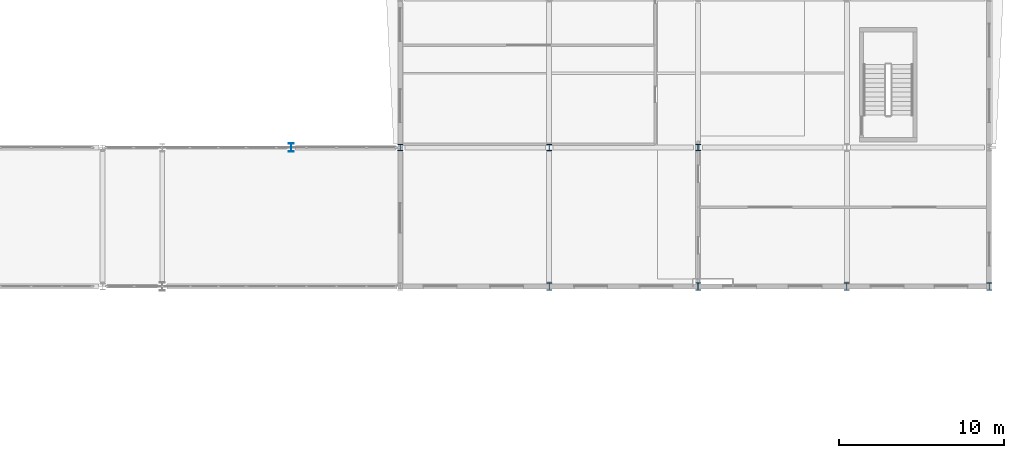
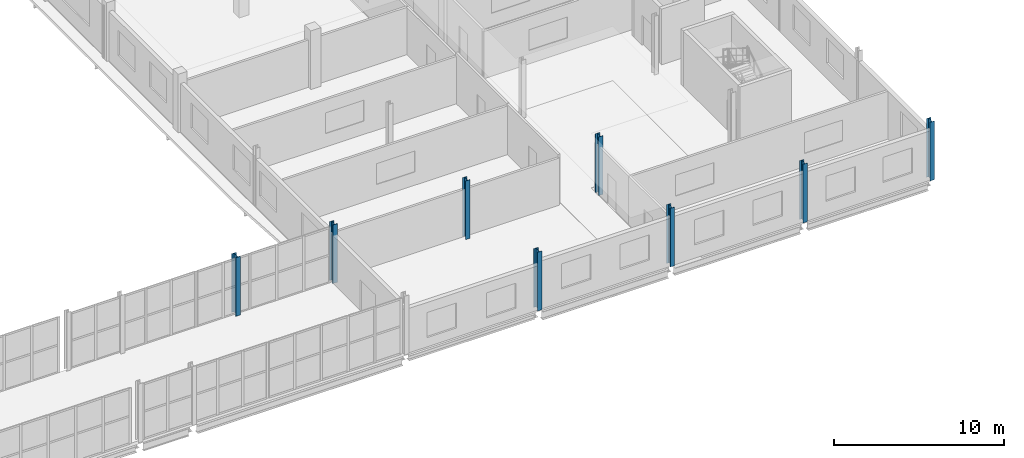
# One storey, part 19 of 121: 8 columns.
"""IFC4 building model written with IfcOpenShell, lengths in metres."""

from ifc_helpers import new_model, si_unit, direction, frame, origin, origin_2d, place, context, subcontext, project, spatial, i_section, extrude, material, material_profile, profile_set, type_object, element, save


model = new_model("IFC4")

# Units and contexts
model_context = context("Model", 3, precision=1e-05, world=origin(), true_north=direction((0.0, 1.0)))
body_context = subcontext(model_context, "Body", "Model", "MODEL_VIEW")
ifc_project = project(units=[si_unit("LENGTHUNIT", "METRE"), si_unit("AREAUNIT", "SQUARE_METRE"), si_unit("VOLUMEUNIT", "CUBIC_METRE"), si_unit("PLANEANGLEUNIT", "RADIAN"), si_unit("MASSUNIT", "GRAM", prefix="KILO")], contexts=[model_context])

# Site, building, storey
site_placement = place(None, origin())
site = spatial("IfcSite", under=ifc_project, at=site_placement, CompositionType="ELEMENT")
building_placement = place(site_placement, origin())
building = spatial("IfcBuilding", under=site, at=building_placement, Name="Vinh Khe Railworks Police Headquarters", CompositionType="ELEMENT")
storey_placement = place(building_placement, frame((0.0, 0.0, 4.800048828125)))
storey = spatial("IfcBuildingStorey", under=building, at=storey_placement, Name="L01", CompositionType="ELEMENT", Elevation=4.800048828125)

# Columns
ifc_material = material(Name="Steel S355JR", Category="steel")
ifc_material_profile_1 = material_profile(ifc_material, i_section(OverallWidth=0.300048828125, OverallDepth=0.389892578125, WebThickness=0.010986328125, FlangeThickness=0.01904296875, FilletRadius=0.027099609375, at=origin_2d()), Name="HEA 400")
ifc_profile_set_1 = profile_set([ifc_material_profile_1], Name="Steel S355JR")
column_type_1 = type_object("IfcColumnType", Name="Steel Column HEA 400", PredefinedType="COLUMN", material=ifc_profile_set_1)
for number, where, z_axis, x_axis, name in (
    (1, (78.0, 104.39990234375, 0.0), (0.0, 0.0, 1.0), (1.0, 0.0, 0.0), "Column COL-L01-SC-15-1157"),
    (2, (87.0, 104.39990234375, 0.0), (0.0, 0.0, 1.0), (1.0, 0.0, 0.0), "Column COL-L01-SC-15-1218"),
    (3, (96.0, 104.39990234375, 0.0), (0.0, 0.0, 1.0), (1.0, 0.0, 0.0), "Column COL-L01-SC-15-1279"),
):
    element("IfcColumn", number, at=place(storey_placement, frame(where, z_axis=z_axis, x_axis=x_axis)), inside=storey, type_object=column_type_1, Name=name, PredefinedType="COLUMN", context=body_context, shape_type="SweptSolid", body=[
        extrude(i_section(OverallWidth=0.300048828125, OverallDepth=0.389892578125, WebThickness=0.010986328125, FlangeThickness=0.01904296875, FilletRadius=0.027099609375, at=origin_2d()), origin(), (0.0, 0.0, 1.0), 4.199951171875),
    ])
ifc_material_profile_2 = material_profile(ifc_material, i_section(OverallWidth=0.300048828125, OverallDepth=0.43994140625, WebThickness=0.011474609375, FlangeThickness=0.02099609375, FilletRadius=0.027099609375, at=origin_2d()), Name="HEA 450")
ifc_profile_set_2 = profile_set([ifc_material_profile_2], Name="Steel S355JR")
column_type_2 = type_object("IfcColumnType", Name="Steel Column HEA 450", PredefinedType="COLUMN", material=ifc_profile_set_2)
for number, where, z_axis, x_axis, name in (
    (4, (87.0, 96.0, 0.0), (0.0, 0.0, 1.0), (1.0, 0.0, 0.0), "Column COL-L01-SC-14-1214"),
    (5, (96.0, 96.0, 0.0), (0.0, 0.0, 1.0), (1.0, 0.0, 0.0), "Column COL-L01-SC-14-1275"),
    (6, (105.0, 96.0, 0.0), (0.0, 0.0, 1.0), (1.0, 0.0, 0.0), "Column COL-L01-SC-14-1336"),
    (7, (113.60009765625, 96.0, 0.0), (0.0, 0.0, 1.0), (1.0, 0.0, 0.0), "Column COL-L01-SC-14-1397"),
):
    element("IfcColumn", number, at=place(storey_placement, frame(where, z_axis=z_axis, x_axis=x_axis)), inside=storey, type_object=column_type_2, Name=name, PredefinedType="COLUMN", context=body_context, shape_type="SweptSolid", body=[
        extrude(i_section(OverallWidth=0.300048828125, OverallDepth=0.43994140625, WebThickness=0.011474609375, FlangeThickness=0.02099609375, FilletRadius=0.027099609375, at=origin_2d()), origin(), (0.0, 0.0, 1.0), 4.199951171875),
    ])
ifc_material_profile_3 = material_profile(ifc_material, i_section(OverallWidth=0.300048828125, OverallDepth=0.489990234375, WebThickness=0.011962890625, FlangeThickness=0.02294921875, FilletRadius=0.027099609375, at=origin_2d()), Name="HEA 500")
ifc_profile_set_3 = profile_set([ifc_material_profile_3], Name="Steel S355JR")
column_type_3 = type_object("IfcColumnType", Name="Steel Column HEA 500", PredefinedType="COLUMN", material=ifc_profile_set_3)
column_placement = place(storey_placement, frame((71.39990234375, 104.39990234375, 0.0), z_axis=(0.0, 0.0, 1.0), x_axis=(1.0, 0.0, 0.0)))
element("IfcColumn", 8, at=column_placement, inside=storey, type_object=column_type_3, Name="Column COL-L01-SC-13-1139", PredefinedType="COLUMN", context=body_context, shape_type="SweptSolid", body=[
    extrude(i_section(OverallWidth=0.300048828125, OverallDepth=0.489990234375, WebThickness=0.011962890625, FlangeThickness=0.02294921875, FilletRadius=0.027099609375, at=origin_2d()), origin(), (0.0, 0.0, 1.0), 4.199951171875),
])

save(model, "model.ifc")
